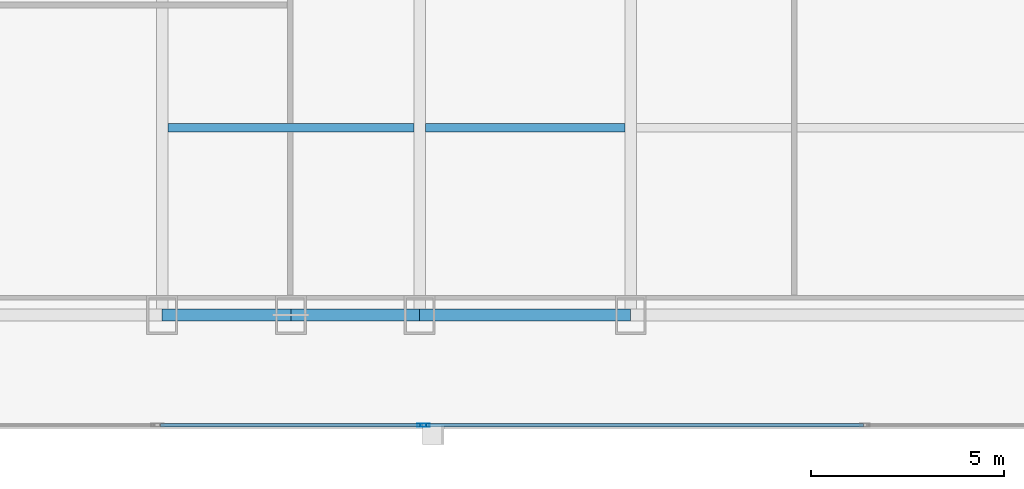
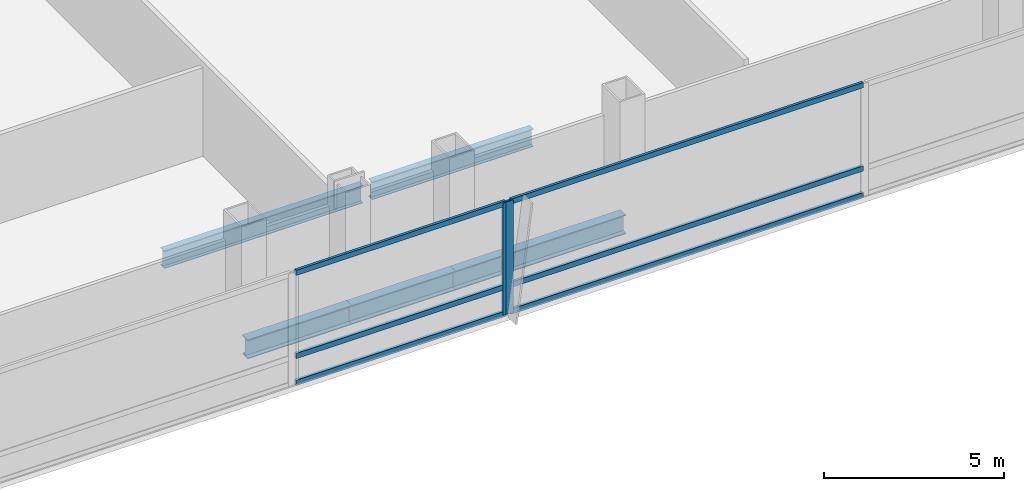
# One storey, part 8 of 36: 8 members, 5 beams, 2 elements without a shape of their own.
"""IFC4 building model written with IfcOpenShell, lengths in metres."""

from ifc_helpers import new_model, si_unit, direction, frame, origin, origin_2d, place, context, subcontext, project, spatial, hollow_rectangle, i_section, extrude, material, material_profile, profile_set, type_object, element, aggregate, save


model = new_model("IFC4")

# Units and contexts
model_context = context("Model", 3, precision=1e-05, world=origin(), true_north=direction((0.0, 1.0)))
body_context = subcontext(model_context, "Body", "Model", "MODEL_VIEW")
ifc_project = project(units=[si_unit("LENGTHUNIT", "METRE"), si_unit("AREAUNIT", "SQUARE_METRE"), si_unit("VOLUMEUNIT", "CUBIC_METRE"), si_unit("PLANEANGLEUNIT", "RADIAN"), si_unit("MASSUNIT", "GRAM", prefix="KILO")], contexts=[model_context])

# Site, building, storey
site_placement = place(None, origin())
site = spatial("IfcSite", under=ifc_project, at=site_placement, CompositionType="ELEMENT")
building_placement = place(site_placement, origin())
building = spatial("IfcBuilding", under=site, at=building_placement, Name="Khoronbel Lancet Exchange", CompositionType="ELEMENT")
storey_placement = place(building_placement, frame((0.0, 0.0, 57.800048828125)))
storey = spatial("IfcBuildingStorey", under=building, at=storey_placement, Name="L13", CompositionType="ELEMENT", Elevation=57.800048828125)

# Beams
ifc_material_1 = material(Name="Steel S355", Category="steel")
ifc_material_profile_1 = material_profile(ifc_material_1, i_section(OverallWidth=0.219970703125, OverallDepth=0.60009765625, WebThickness=0.011962890625, FlangeThickness=0.01904296875, at=origin_2d()), Name="IPE 600")
ifc_profile_set_1 = profile_set([ifc_material_profile_1], Name="Steel S355")
beam_type_1 = type_object("IfcBeamType", Name="BM-BJ1", PredefinedType="JOIST", material=ifc_profile_set_1)
beam_1_placement = place(storey_placement, frame((18.375, 15.0, -0.47998046875), z_axis=(1.0, 0.0, 0.0), x_axis=(0.0, 1.0, 0.0)))
element("IfcBeam", 1, at=beam_1_placement, inside=storey, type_object=beam_type_1, Name="Level L13 secondary composite joist J01", PredefinedType="JOIST", context=body_context, shape_type="SweptSolid", body=[
    extrude(i_section(OverallWidth=0.219970703125, OverallDepth=0.60009765625, WebThickness=0.011962890625, FlangeThickness=0.01904296875, at=origin_2d()), origin(), (0.0, 0.0, 1.0), 6.375),
])
beam_2_placement = place(storey_placement, frame((25.050048828125, 15.0, -0.47998046875), z_axis=(1.0, 0.0, 0.0), x_axis=(0.0, 1.0, 0.0)))
element("IfcBeam", 2, at=beam_2_placement, inside=storey, type_object=beam_type_1, Name="Level L13 secondary composite joist J02", PredefinedType="JOIST", context=body_context, shape_type="SweptSolid", body=[
    extrude(i_section(OverallWidth=0.219970703125, OverallDepth=0.60009765625, WebThickness=0.011962890625, FlangeThickness=0.01904296875, at=origin_2d()), origin(), (0.0, 0.0, 1.0), 5.175048828125),
])
ifc_material_profile_2 = material_profile(ifc_material_1, i_section(OverallWidth=0.300048828125, OverallDepth=0.64990234375, WebThickness=0.01611328125, FlangeThickness=0.031005859375, at=origin_2d()), Name="HEB 650")
ifc_profile_set_2 = profile_set([ifc_material_profile_2], Name="Steel S355")
beam_type_2 = type_object("IfcBeamType", Name="BM-BSP1", PredefinedType="SPANDREL", material=ifc_profile_set_2)
for number, where, z_axis, x_axis, name in (
    (3, (18.22509765625, 10.14990234375, -0.505126953125), (1.0, 0.0, 0.0), (0.0, 1.0, 0.0), "Level L13 perimeter spandrel beam SP02"),
    (4, (21.5625, 10.14990234375, -0.505126953125), (1.0, 0.0, 0.0), (0.0, 1.0, 0.0), "Level L13 perimeter spandrel beam SP03"),
):
    element("IfcBeam", number, at=place(storey_placement, frame(where, z_axis=z_axis, x_axis=x_axis)), inside=storey, type_object=beam_type_2, Name=name, PredefinedType="SPANDREL", context=body_context, shape_type="SweptSolid", body=[
        extrude(i_section(OverallWidth=0.300048828125, OverallDepth=0.64990234375, WebThickness=0.01611328125, FlangeThickness=0.031005859375, at=origin_2d()), origin(), (0.0, 0.0, 1.0), 3.33740234375),
    ])
beam_3_placement = place(storey_placement, frame((24.89990234375, 10.14990234375, -0.505126953125), z_axis=(1.0, 0.0, 0.0), x_axis=(0.0, 1.0, 0.0)))
element("IfcBeam", 5, at=beam_3_placement, inside=storey, type_object=beam_type_2, Name="Level L13 perimeter spandrel beam SP04", PredefinedType="SPANDREL", context=body_context, shape_type="SweptSolid", body=[
    extrude(i_section(OverallWidth=0.300048828125, OverallDepth=0.64990234375, WebThickness=0.01611328125, FlangeThickness=0.031005859375, at=origin_2d()), origin(), (0.0, 0.0, 1.0), 5.47509765625),
])

# Curtain wall, member
ifc_material_2 = material(Name="Low-E Solar Control Insulating Glass", Category="glass")
curtain_wall_type = type_object("IfcCurtainWallType", Name="CW-1", PredefinedType="NOTDEFINED", material=ifc_material_2)
curtain_wall_1_placement = place(storey_placement, origin())
curtain_wall_1 = element("IfcCurtainWall", 6, at=curtain_wall_1_placement, inside=storey, type_object=curtain_wall_type, Name="Unitised curtain wall CW-L13-SWB", PredefinedType="NOTDEFINED")
ifc_material_3 = material(Name="Bronze-Anodised Aluminium 6063-T6", Category="aluminium")
ifc_material_profile_3 = material_profile(ifc_material_3, hollow_rectangle(XDim=0.0849609375, YDim=0.239990234375, WallThickness=0.006103515625, at=origin_2d()), Name="ALU MULLION 85x240")
ifc_profile_set_3 = profile_set([ifc_material_profile_3], Name="Bronze-Anodised Aluminium 6063-T6")
member_type_1 = type_object("IfcMemberType", Name="MEM-CWM1", PredefinedType="MULLION", material=ifc_profile_set_3)
member_1_placement = place(storey_placement, frame((24.95751953125, 7.2900390625, 0.0), z_axis=(0.0, 0.0, 1.0), x_axis=(0.0, 1.0, 0.0)))
member_1 = element("IfcMember", 7, at=member_1_placement, type_object=member_type_1, Name="CW1 mullion 2", PredefinedType="MULLION", context=body_context, shape_type="SweptSolid", body=[
    extrude(hollow_rectangle(XDim=0.0849609375, YDim=0.239990234375, WallThickness=0.006103515625, at=origin_2d()), origin(), (0.0, 0.0, 1.0), 3.820068359375),
])

curtain_wall_2_placement = place(storey_placement, origin())
curtain_wall_2 = element("IfcCurtainWall", 8, at=curtain_wall_2_placement, inside=storey, type_object=curtain_wall_type, Name="Unitised curtain wall CW-L13-SCV", PredefinedType="NOTDEFINED")
member_2_placement = place(storey_placement, frame((25.04248046875, 7.2900390625, 0.0), z_axis=(0.0, 0.0, 1.0), x_axis=(0.0, 1.0, 0.0)))
member_2 = element("IfcMember", 9, at=member_2_placement, type_object=member_type_1, Name="CW1 mullion 1", PredefinedType="MULLION", context=body_context, shape_type="SweptSolid", body=[
    extrude(hollow_rectangle(XDim=0.0849609375, YDim=0.239990234375, WallThickness=0.006103515625, at=origin_2d()), origin(), (0.0, 0.0, 1.0), 3.820068359375),
])

# Member
ifc_material_profile_4 = material_profile(ifc_material_3, hollow_rectangle(XDim=0.0849609375, YDim=0.179931640625, WallThickness=0.0048828125, at=origin_2d()), Name="ALU TRANSOM 85x180")
ifc_profile_set_4 = profile_set([ifc_material_profile_4], Name="Bronze-Anodised Aluminium 6063-T6")
member_type_2 = type_object("IfcMemberType", Name="MEM-CWT1", PredefinedType="USERDEFINED", material=ifc_profile_set_4)
member_3_placement = place(storey_placement, frame((18.18505859375, 7.2900390625, 0.04248046875), z_axis=(1.0, 0.0, 0.0), x_axis=(0.0, 1.0, 0.0)))
member_3 = element("IfcMember", 10, at=member_3_placement, type_object=member_type_2, Name="CW1 transom 1.1", ObjectType="TRANSOM", PredefinedType="USERDEFINED", context=body_context, shape_type="SweptSolid", body=[
    extrude(hollow_rectangle(XDim=0.0849609375, YDim=0.179931640625, WallThickness=0.0048828125, at=origin_2d()), origin(), (0.0, 0.0, 1.0), 6.72998046875),
])

member_4_placement = place(storey_placement, frame((18.18505859375, 7.2900390625, 0.949951171875), z_axis=(1.0, 0.0, 0.0), x_axis=(0.0, 1.0, 0.0)))
member_4 = element("IfcMember", 11, at=member_4_placement, type_object=member_type_2, Name="CW1 transom 1.2", ObjectType="TRANSOM", PredefinedType="USERDEFINED", context=body_context, shape_type="SweptSolid", body=[
    extrude(hollow_rectangle(XDim=0.0849609375, YDim=0.179931640625, WallThickness=0.0048828125, at=origin_2d()), origin(), (0.0, 0.0, 1.0), 6.72998046875),
])

member_5_placement = place(storey_placement, frame((18.18505859375, 7.2900390625, 3.77734375), z_axis=(1.0, 0.0, 0.0), x_axis=(0.0, 1.0, 0.0)))
member_5 = element("IfcMember", 12, at=member_5_placement, type_object=member_type_2, Name="CW1 transom 1.3", ObjectType="TRANSOM", PredefinedType="USERDEFINED", context=body_context, shape_type="SweptSolid", body=[
    extrude(hollow_rectangle(XDim=0.0849609375, YDim=0.179931640625, WallThickness=0.0048828125, at=origin_2d()), origin(), (0.0, 0.0, 1.0), 6.72998046875),
])

aggregate(curtain_wall_1, [member_1, member_3, member_4, member_5])

member_6_placement = place(storey_placement, frame((25.0849609375, 7.2900390625, 0.04248046875), z_axis=(1.0, 0.0, 0.0), x_axis=(0.0, 1.0, 0.0)))
member_6 = element("IfcMember", 13, at=member_6_placement, type_object=member_type_2, Name="CW1 transom 1.1", ObjectType="TRANSOM", PredefinedType="USERDEFINED", context=body_context, shape_type="SweptSolid", body=[
    extrude(hollow_rectangle(XDim=0.0849609375, YDim=0.179931640625, WallThickness=0.0048828125, at=origin_2d()), origin(), (0.0, 0.0, 1.0), 11.322509765625),
])

member_7_placement = place(storey_placement, frame((25.0849609375, 7.2900390625, 0.949951171875), z_axis=(1.0, 0.0, 0.0), x_axis=(0.0, 1.0, 0.0)))
member_7 = element("IfcMember", 14, at=member_7_placement, type_object=member_type_2, Name="CW1 transom 1.2", ObjectType="TRANSOM", PredefinedType="USERDEFINED", context=body_context, shape_type="SweptSolid", body=[
    extrude(hollow_rectangle(XDim=0.0849609375, YDim=0.179931640625, WallThickness=0.0048828125, at=origin_2d()), origin(), (0.0, 0.0, 1.0), 11.322509765625),
])

member_8_placement = place(storey_placement, frame((25.0849609375, 7.2900390625, 3.77734375), z_axis=(1.0, 0.0, 0.0), x_axis=(0.0, 1.0, 0.0)))
member_8 = element("IfcMember", 15, at=member_8_placement, type_object=member_type_2, Name="CW1 transom 1.3", ObjectType="TRANSOM", PredefinedType="USERDEFINED", context=body_context, shape_type="SweptSolid", body=[
    extrude(hollow_rectangle(XDim=0.0849609375, YDim=0.179931640625, WallThickness=0.0048828125, at=origin_2d()), origin(), (0.0, 0.0, 1.0), 11.322509765625),
])

aggregate(curtain_wall_2, [member_2, member_6, member_7, member_8])

save(model, "model.ifc")
